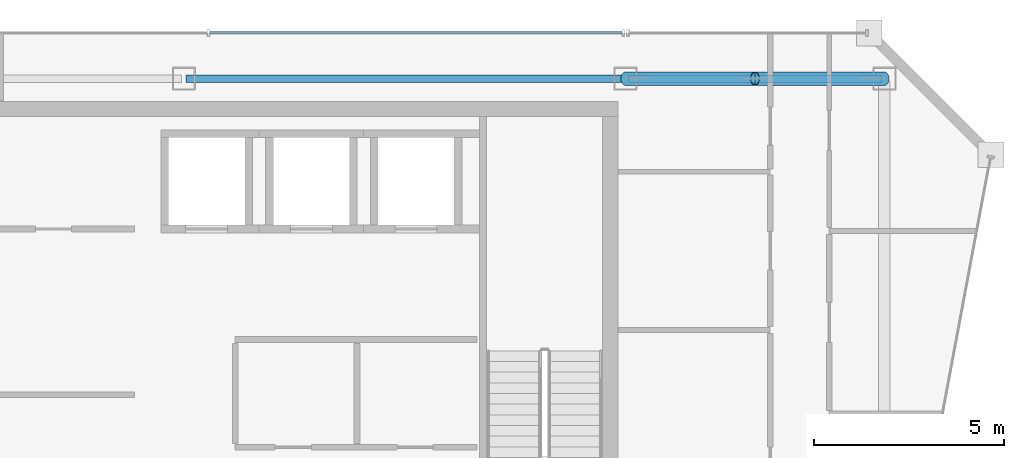
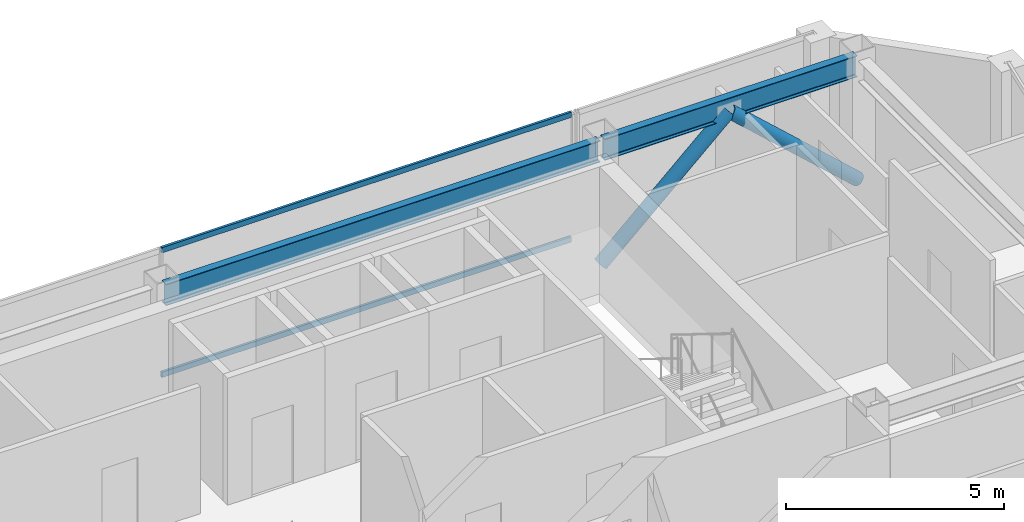
# One storey, part 15 of 22: 4 members, 2 beams, 1 element without a shape of its own.
"""IFC4 building model written with IfcOpenShell, lengths in metres."""

from ifc_helpers import new_model, si_unit, direction, frame, origin, origin_2d, place, context, subcontext, project, spatial, hollow_rectangle, hollow_circle, i_section, extrude, material, material_profile, profile_set, type_object, element, aggregate, save


model = new_model("IFC4")

# Units and contexts
model_context = context("Model", 3, precision=1e-05, world=origin(), true_north=direction((0.0, 1.0)))
body_context = subcontext(model_context, "Body", "Model", "MODEL_VIEW")
ifc_project = project(units=[si_unit("LENGTHUNIT", "METRE"), si_unit("AREAUNIT", "SQUARE_METRE"), si_unit("VOLUMEUNIT", "CUBIC_METRE"), si_unit("PLANEANGLEUNIT", "RADIAN"), si_unit("MASSUNIT", "GRAM", prefix="KILO")], contexts=[model_context])

# Site, building, storey
site_placement = place(None, origin())
site = spatial("IfcSite", under=ifc_project, at=site_placement, CompositionType="ELEMENT")
building_placement = place(site_placement, origin())
building = spatial("IfcBuilding", under=site, at=building_placement, Name="Saevonmaru Cultural Tower", CompositionType="ELEMENT")
storey_placement = place(building_placement, frame((0.0, 0.0, 287.60009765625)))
storey = spatial("IfcBuildingStorey", under=building, at=storey_placement, Name="L68", CompositionType="ELEMENT", Elevation=287.60009765625)

# Beams
ifc_material_1 = material(Name="Steel SM355", Category="steel")
ifc_material_profile_1 = material_profile(ifc_material_1, i_section(OverallWidth=0.199951171875, OverallDepth=0.60009765625, WebThickness=0.010986328125, FlangeThickness=0.01708984375, FilletRadius=0.02197265625, at=origin_2d()), Name="H-600x200x11x17")
ifc_profile_set_1 = profile_set([ifc_material_profile_1], Name="Steel SM355")
beam_type = type_object("IfcBeamType", Name="BM-SP-H600", PredefinedType="SPANDREL", material=ifc_profile_set_1)
beam_1_placement = place(storey_placement, frame((34.860107421875, 54.800048828125, 3.25), z_axis=(1.0, 0.0, 0.0), x_axis=(0.0, 1.0, 0.0)))
element("IfcBeam", 1, at=beam_1_placement, inside=storey, type_object=beam_type, Name="L68 North Spine Girder 4", PredefinedType="SPANDREL", context=body_context, shape_type="SweptSolid", body=[
    extrude(i_section(OverallWidth=0.199951171875, OverallDepth=0.60009765625, WebThickness=0.010986328125, FlangeThickness=0.01708984375, FilletRadius=0.02197265625, at=origin_2d()), origin(), (0.0, 0.0, 1.0), 11.47998046875),
])
beam_2_placement = place(storey_placement, frame((46.4599609375, 54.800048828125, 3.25), z_axis=(1.0, 0.0, 0.0), x_axis=(0.0, 1.0, 0.0)))
element("IfcBeam", 2, at=beam_2_placement, inside=storey, type_object=beam_type, Name="L68 North Spine Girder 5", PredefinedType="SPANDREL", context=body_context, shape_type="SweptSolid", body=[
    extrude(i_section(OverallWidth=0.199951171875, OverallDepth=0.60009765625, WebThickness=0.010986328125, FlangeThickness=0.01708984375, FilletRadius=0.02197265625, at=origin_2d()), origin(), (0.0, 0.0, 1.0), 6.679931640625),
])

# Members
ifc_material_profile_2 = material_profile(ifc_material_1, hollow_circle(Radius=0.177734375, WallThickness=0.01611328125, at=origin_2d()), Name="CHS-355.6x16")
ifc_profile_set_2 = profile_set([ifc_material_profile_2], Name="Steel SM355")
member_type_1 = type_object("IfcMemberType", Name="MB-PBR-CHS356", PredefinedType="BRACE", material=ifc_profile_set_2)
member_1_placement = place(storey_placement, frame((46.39990234375, 54.800048828125, 0.02001953125), z_axis=(0.738986146064, 0.0, 0.673720621568), x_axis=(0.0, 1.0, 0.0)))
element("IfcMember", 3, at=member_1_placement, inside=storey, type_object=member_type_1, Name="L68 Perimeter Braced-Tube Diagonal EN1", PredefinedType="BRACE", context=body_context, shape_type="SweptSolid", body=[
    extrude(hollow_circle(Radius=0.177734375, WallThickness=0.01611328125, at=origin_2d()), origin(), (0.0, 0.0, 1.0), 4.60107421875),
])
member_2_placement = place(storey_placement, frame((53.199951171875, 54.800048828125, 0.02001953125), z_axis=(-0.738962060105, 0.0, 0.673747039864), x_axis=(0.0, -1.0, 0.0)))
element("IfcMember", 4, at=member_2_placement, inside=storey, type_object=member_type_1, Name="L68 Perimeter Braced-Tube Diagonal EN2", PredefinedType="BRACE", context=body_context, shape_type="SweptSolid", body=[
    extrude(hollow_circle(Radius=0.177734375, WallThickness=0.01611328125, at=origin_2d()), origin(), (0.0, 0.0, 1.0), 4.600830078125),
])

# Curtain wall, members
ifc_material_2 = material(Name="Satin Bronze Anodised Aluminium", Category="aluminium")
curtain_wall_type = type_object("IfcCurtainWallType", Name="CW-TYP-B", PredefinedType="NOTDEFINED", material=ifc_material_2)
curtain_wall_placement = place(storey_placement, origin())
curtain_wall = element("IfcCurtainWall", 5, at=curtain_wall_placement, inside=storey, type_object=curtain_wall_type, Name="L68 North Spine Unitised Curtain Wall E10B", PredefinedType="NOTDEFINED")
ifc_material_profile_3 = material_profile(ifc_material_2, hollow_rectangle(XDim=0.06494140625, YDim=0.14990234375, WallThickness=0.00390625, at=origin_2d()), Name="ALU-TRAN-150x65x4")
ifc_profile_set_3 = profile_set([ifc_material_profile_3], Name="Satin Bronze Anodised Aluminium")
member_type_2 = type_object("IfcMemberType", Name="TR-CW-150x65", PredefinedType="USERDEFINED", material=ifc_profile_set_3)
member_3_placement = place(storey_placement, frame((46.3076171875, 56.0, 0.032470703125), z_axis=(-1.0, 0.0, 0.0), x_axis=(0.0, -1.0, 0.0)))
member_3 = element("IfcMember", 6, at=member_3_placement, type_object=member_type_2, Name="CW-TW-L68-E10B transom 1.1", ObjectType="TRANSOM", PredefinedType="USERDEFINED", context=body_context, shape_type="SweptSolid", body=[
    extrude(hollow_rectangle(XDim=0.06494140625, YDim=0.14990234375, WallThickness=0.00390625, at=origin_2d()), origin(), (0.0, 0.0, 1.0), 10.828369140625),
])
member_4_placement = place(storey_placement, frame((46.3076171875, 56.0, 3.517333984375), z_axis=(-1.0, 0.0, 0.0), x_axis=(0.0, -1.0, 0.0)))
member_4 = element("IfcMember", 7, at=member_4_placement, type_object=member_type_2, Name="CW-TW-L68-E10B transom 1.2", ObjectType="TRANSOM", PredefinedType="USERDEFINED", context=body_context, shape_type="SweptSolid", body=[
    extrude(hollow_rectangle(XDim=0.06494140625, YDim=0.14990234375, WallThickness=0.00390625, at=origin_2d()), origin(), (0.0, 0.0, 1.0), 10.828369140625),
])
aggregate(curtain_wall, [member_3, member_4])

save(model, "model.ifc")
